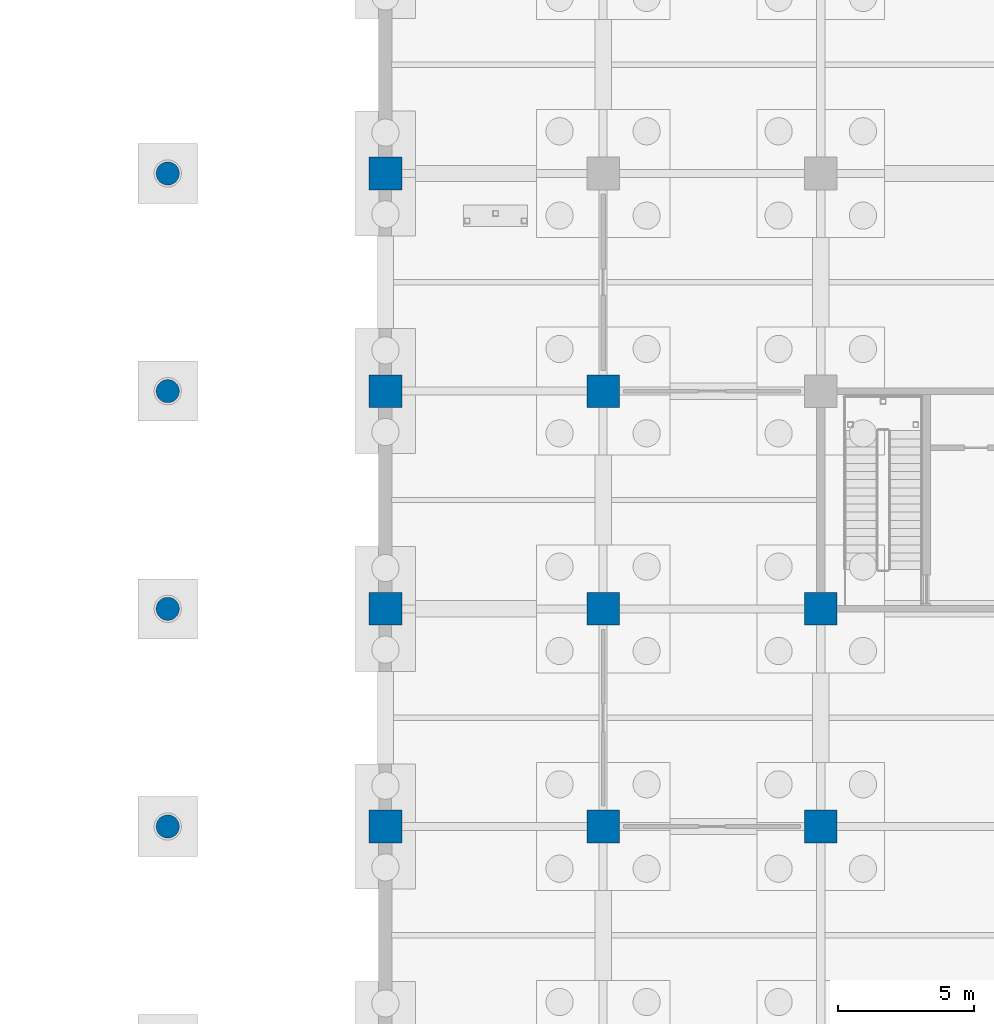
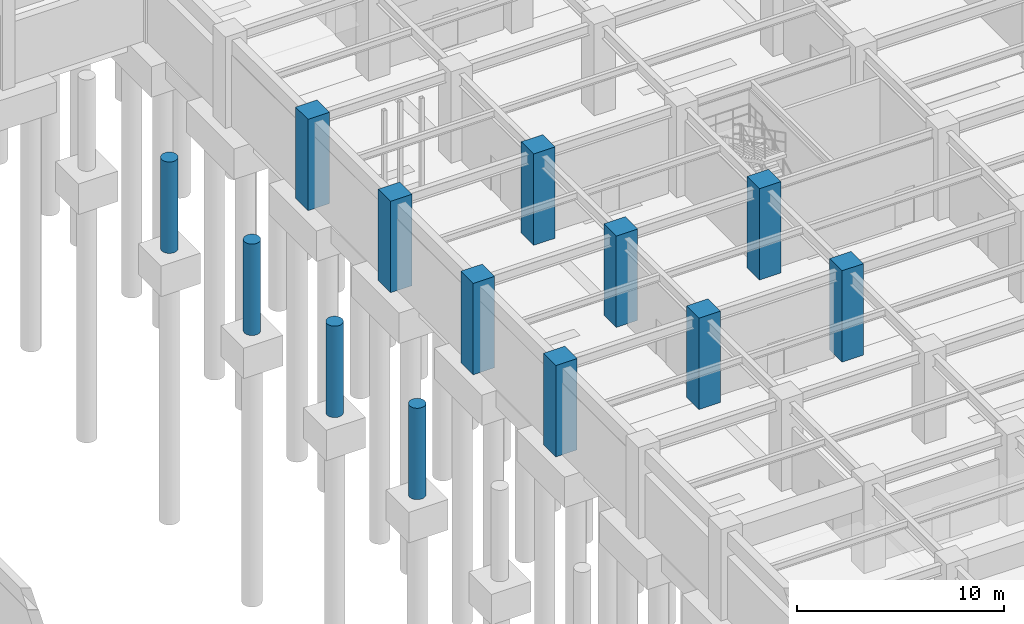
# One storey, part 46 of 97: 13 columns.
"""IFC4 building model written with IfcOpenShell, lengths in metres."""

from ifc_helpers import new_model, si_unit, direction, frame, origin, origin_2d, place, context, subcontext, project, spatial, rectangle, circle, extrude, material, material_profile, profile_set, type_object, element, save


model = new_model("IFC4")

# Units and contexts
model_context = context("Model", 3, precision=1e-05, world=origin(), true_north=direction((0.0, 1.0)))
body_context = subcontext(model_context, "Body", "Model", "MODEL_VIEW")
ifc_project = project(units=[si_unit("LENGTHUNIT", "METRE"), si_unit("AREAUNIT", "SQUARE_METRE"), si_unit("VOLUMEUNIT", "CUBIC_METRE"), si_unit("PLANEANGLEUNIT", "RADIAN"), si_unit("MASSUNIT", "GRAM", prefix="KILO")], contexts=[model_context])

# Site, building, storey
site_placement = place(None, origin())
site = spatial("IfcSite", under=ifc_project, at=site_placement, CompositionType="ELEMENT")
building_placement = place(site_placement, origin())
building = spatial("IfcBuilding", under=site, at=building_placement, Name="Haebicheon Civic Stadium", CompositionType="ELEMENT")
storey_placement = place(building_placement, frame((0.0, 0.0, -5.39990234375)))
storey = spatial("IfcBuildingStorey", under=building, at=storey_placement, Name="B1", CompositionType="ELEMENT", Elevation=-5.39990234375)

# Columns
ifc_material_1 = material(Name="Concrete C40/50", Category="concrete")
ifc_material_profile_1 = material_profile(ifc_material_1, rectangle(XDim=1.199951171875, YDim=1.199951171875, at=origin_2d()), Name="RC-COL-1200x1200")
ifc_profile_set_1 = profile_set([ifc_material_profile_1], Name="Concrete C40/50")
column_type_1 = type_object("IfcColumnType", Name="COL-RC-1200", PredefinedType="COLUMN", material=ifc_profile_set_1)
for number, where, z_axis, x_axis, name in (
    (1, (200.0, 96.0, 0.0), (0.0, 0.0, 1.0), (1.0, 0.0, 0.0), "B1 column 26/N"),
    (2, (200.0, 104.0, 0.0), (0.0, 0.0, 1.0), (1.0, 0.0, 0.0), "B1 column 26/P"),
    (3, (200.0, 112.0, 0.0), (0.0, 0.0, 1.0), (1.0, 0.0, 0.0), "B1 column 26/Q"),
    (4, (200.0, 120.0, 0.0), (0.0, 0.0, 1.0), (1.0, 0.0, 0.0), "B1 column 26/R"),
    (5, (208.0, 96.0, 0.0), (0.0, 0.0, 1.0), (1.0, 0.0, 0.0), "B1 column 27/N"),
    (6, (208.0, 104.0, 0.0), (0.0, 0.0, 1.0), (1.0, 0.0, 0.0), "B1 column 27/P"),
    (7, (208.0, 112.0, 0.0), (0.0, 0.0, 1.0), (1.0, 0.0, 0.0), "B1 column 27/Q"),
    (8, (216.0, 96.0, 0.0), (0.0, 0.0, 1.0), (1.0, 0.0, 0.0), "B1 column 28/N"),
    (9, (216.0, 104.0, 0.0), (0.0, 0.0, 1.0), (1.0, 0.0, 0.0), "B1 column 28/P"),
):
    element("IfcColumn", number, at=place(storey_placement, frame(where, z_axis=z_axis, x_axis=x_axis)), inside=storey, type_object=column_type_1, material=ifc_profile_set_1, Name=name, PredefinedType="COLUMN", context=body_context, shape_type="SweptSolid", body=[
        extrude(rectangle(XDim=1.199951171875, YDim=1.199951171875, at=origin_2d()), origin(), (0.0, 0.0, 1.0), 5.39990234375),
    ])
ifc_material_2 = material(Name="Concrete C40/50", Category="concrete")
ifc_material_profile_2 = material_profile(ifc_material_2, circle(Radius=0.425048828125, at=origin_2d()), Name="RC-COL-D850")
ifc_profile_set_2 = profile_set([ifc_material_profile_2], Name="Concrete C40/50")
column_type_2 = type_object("IfcColumnType", Name="COL-RC-D850", PredefinedType="COLUMN", material=ifc_profile_set_2)
for number, where, z_axis, x_axis, name in (
    (10, (192.0, 96.0, 0.0), (0.0, 0.0, 1.0), (1.0, 0.0, 0.0), "Bowl/canopy support column 192/96 (B1)"),
    (11, (192.0, 104.0, 0.0), (0.0, 0.0, 1.0), (1.0, 0.0, 0.0), "Bowl/canopy support column 192/104 (B1)"),
    (12, (192.0, 112.0, 0.0), (0.0, 0.0, 1.0), (1.0, 0.0, 0.0), "Bowl/canopy support column 192/112 (B1)"),
    (13, (192.0, 120.0, 0.0), (0.0, 0.0, 1.0), (1.0, 0.0, 0.0), "Bowl/canopy support column 192/120 (B1)"),
):
    element("IfcColumn", number, at=place(storey_placement, frame(where, z_axis=z_axis, x_axis=x_axis)), inside=storey, type_object=column_type_2, material=ifc_profile_set_2, Name=name, PredefinedType="COLUMN", context=body_context, shape_type="SweptSolid", body=[
        extrude(circle(Radius=0.425048828125, at=origin_2d()), origin(), (0.0, 0.0, 1.0), 5.39990234375),
    ])

save(model, "model.ifc")
